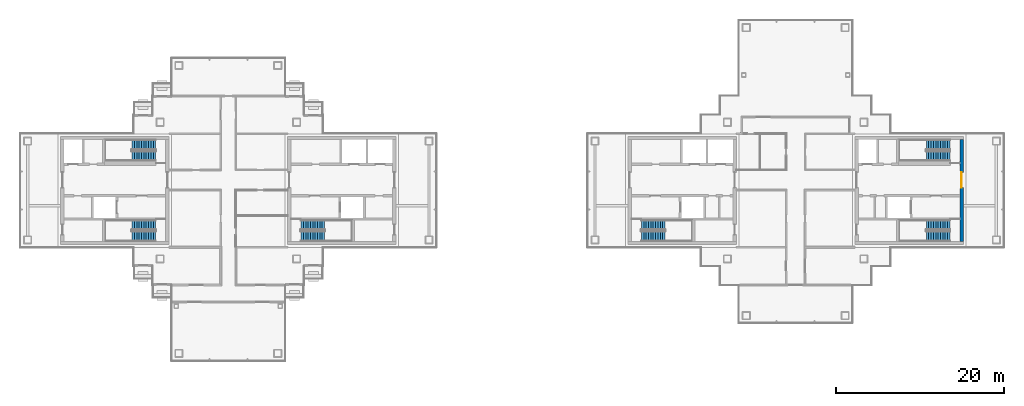
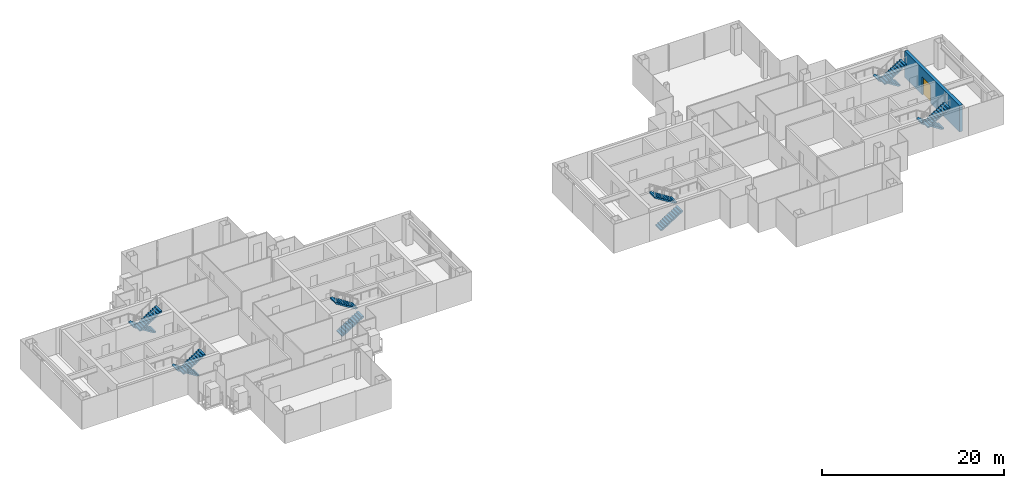
# One storey, part 13 of 16: 12 stair flights, 1 door, 1 wall, 1 opening, 6 elements without a shape of their own.
"""IFC4 building model written with IfcOpenShell, lengths in metres."""

from ifc_helpers import new_model, si_unit, direction, frame, frame_2d, origin, place, context, subcontext, project, spatial, polyline, rectangle, outline, extrude, material, layer, layer_set, type_object, element, fill, aggregate, save


model = new_model("IFC4")

# Units and contexts
model_context = context("Model", 3, precision=1e-05, world=origin(), true_north=direction((0.0, 1.0)))
body_context = subcontext(model_context, "Body", "Model", "MODEL_VIEW")
ifc_project = project(units=[si_unit("LENGTHUNIT", "METRE"), si_unit("AREAUNIT", "SQUARE_METRE"), si_unit("VOLUMEUNIT", "CUBIC_METRE"), si_unit("PLANEANGLEUNIT", "RADIAN"), si_unit("MASSUNIT", "GRAM", prefix="KILO")], contexts=[model_context])

# Site, building, storey
site_placement = place(None, origin())
site = spatial("IfcSite", under=ifc_project, at=site_placement, CompositionType="ELEMENT")
building_placement = place(site_placement, origin())
building = spatial("IfcBuilding", under=site, at=building_placement, Name="Shamsa Quay Exchange Towers", CompositionType="ELEMENT")
storey_placement = place(building_placement, frame((0.0, 0.0, 261.60009765625)))
storey = spatial("IfcBuildingStorey", under=building, at=storey_placement, Name="L63", CompositionType="ELEMENT", Elevation=261.60009765625)

# Wall, opening, door
ifc_material_1 = material(Name="Concrete C60/75", Category="concrete")
ifc_layer = layer(ifc_material_1, 0.39990234375)
ifc_layer_set = layer_set([ifc_layer], Name="CORE WALL 400 C60/75")
wall_type = type_object("IfcWallType", Name="CORE WALL 400 C60/75", PredefinedType="SHEAR", material=ifc_layer_set)
wall_placement = place(storey_placement, frame((53.5, -6.050048828125, 0.0), z_axis=(0.0, 0.0, 1.0), x_axis=(0.0, 1.0, 0.0)))
wall = element("IfcWall", 1, at=wall_placement, inside=storey, type_object=wall_type, Name="Core wall T2B-R29-PF", PredefinedType="SHEAR", context=body_context, shape_type="SweptSolid", body=[
    extrude(rectangle(XDim=12.10009765625, YDim=0.39990234375, at=frame_2d((6.050048828125, 0.0))), origin(), (0.0, 0.0, 1.0), 3.5498046875),
])
opening_placement = place(wall_placement, frame((6.39990234375, 0.0, 0.0)))
opening = element("IfcOpeningElement", 2, at=opening_placement, cuts=wall, Name="Opening T2B-R29-LBD01", PredefinedType="OPENING", context=body_context, shape_type="SweptSolid", body=[
    extrude(rectangle(XDim=1.800048828125, YDim=2.39990234375, at=frame_2d((0.89990234375, 1.199951171875))), frame((0.0, 0.2099609375, 0.0), z_axis=(0.0, -1.0, 0.0), x_axis=(1.0, 0.0, 0.0)), (0.0, 0.0, 1.0), 0.419921875),
])
ifc_material_2 = material(Name="Steel, fire rated", Category="steel")
door_type = type_object("IfcDoorType", Name="LIFT LOBBY DOOR PAIR 1800", OperationType="DOUBLE_DOOR_SINGLE_SWING", PredefinedType="DOOR", material=ifc_material_2)
door_placement = place(opening_placement, origin())
door = element("IfcDoor", 3, at=door_placement, inside=storey, type_object=door_type, Name="T2B-R29-LBD01", OperationType="DOUBLE_DOOR_SINGLE_SWING", OverallHeight=2.39990234375, OverallWidth=1.800048828125, PredefinedType="DOOR", context=body_context, shape_type="SweptSolid", body=[
    extrude(rectangle(XDim=1.800048828125, YDim=2.39990234375, at=frame_2d((0.89990234375, 1.199951171875))), frame((0.0, 0.02490234375, 0.0), z_axis=(0.0, -1.0, 0.0), x_axis=(1.0, 0.0, 0.0)), (0.0, 0.0, 1.0), 0.050048828125),
])
fill(opening, door)

# Stair, stair flights
ifc_material_3 = material(Name="Concrete C40/50", Category="concrete")
stair_type = type_object("IfcStairType", Name="EXIT STAIR 22 RISERS 177 MM", PredefinedType="HALF_TURN_STAIR", material=ifc_material_3)
stair_1_placement = place(storey_placement, origin())
stair_1 = element("IfcStair", 4, at=stair_1_placement, inside=storey, type_object=stair_type, Name="L63 Exit stair ST1", PredefinedType="HALF_TURN_STAIR")
stair_flight_type = type_object("IfcStairFlightType", Name="EXIT STAIR FLIGHT 11 RISERS 177 MM", PredefinedType="STRAIGHT", material=ifc_material_3)
stair_flight_1_placement = place(storey_placement, frame((-25.10009765625, -5.449951171875, 0.0)))
stair_flight_1 = element("IfcStairFlight", 5, at=stair_flight_1_placement, type_object=stair_flight_type, Name="ST1 flight 1", NumberOfRisers=11, NumberOfTreads=10, PredefinedType="STRAIGHT", RiserHeight=0.177272727, TreadLength=0.28, context=body_context, shape_type="SweptSolid", body=[
    extrude(outline(polyline([(0.0, 0.0), (0.0, 0.17724609375), (0.280029296875, 0.17724609375), (0.280029296875, 0.3544921875), (0.56005859375, 0.3544921875), (0.56005859375, 0.53173828125), (0.840087890625, 0.53173828125), (0.840087890625, 0.708984375), (1.1201171875, 0.708984375), (1.1201171875, 0.886474609375), (1.39990234375, 0.886474609375), (1.39990234375, 1.063720703125), (1.679931640625, 1.063720703125), (1.679931640625, 1.240966796875), (1.9599609375, 1.240966796875), (1.9599609375, 1.418212890625), (2.239990234375, 1.418212890625), (2.239990234375, 1.595458984375), (2.52001953125, 1.595458984375), (2.52001953125, 1.772705078125), (2.800048828125, 1.772705078125), (2.800048828125, 1.949951171875), (2.800048828125, 1.607177734375), (0.261474609375, 0.0), (0.0, 0.0)])), frame((0.0, 0.60009765625, 0.0), z_axis=(0.0, -1.0, 0.0), x_axis=(1.0, 0.0, 0.0)), (0.0, 0.0, 1.0), 1.199951171875),
])
stair_flight_2_placement = place(storey_placement, frame((-22.300048828125, -4.10009765625, 1.949951171875), z_axis=(0.0, 0.0, 1.0), x_axis=(-1.0, 0.0, 0.0)))
stair_flight_2 = element("IfcStairFlight", 6, at=stair_flight_2_placement, type_object=stair_flight_type, Name="ST1 flight 2", NumberOfRisers=11, NumberOfTreads=10, PredefinedType="STRAIGHT", RiserHeight=0.177272727, TreadLength=0.28, context=body_context, shape_type="SweptSolid", body=[
    extrude(outline(polyline([(0.0, 0.0), (0.0, 0.17724609375), (0.280029296875, 0.17724609375), (0.280029296875, 0.3544921875), (0.56005859375, 0.3544921875), (0.56005859375, 0.53173828125), (0.840087890625, 0.53173828125), (0.840087890625, 0.708984375), (1.1201171875, 0.708984375), (1.1201171875, 0.886474609375), (1.39990234375, 0.886474609375), (1.39990234375, 1.063720703125), (1.679931640625, 1.063720703125), (1.679931640625, 1.240966796875), (1.9599609375, 1.240966796875), (1.9599609375, 1.418212890625), (2.239990234375, 1.418212890625), (2.239990234375, 1.595458984375), (2.52001953125, 1.595458984375), (2.52001953125, 1.772705078125), (2.800048828125, 1.772705078125), (2.800048828125, 1.949951171875), (2.800048828125, 1.607177734375), (0.261474609375, 0.0), (0.0, 0.0)])), frame((0.0, 0.60009765625, 0.0), z_axis=(0.0, -1.0, 0.0), x_axis=(1.0, 0.0, 0.0)), (0.0, 0.0, 1.0), 1.199951171875),
])
aggregate(stair_1, [stair_flight_1, stair_flight_2])

stair_2_placement = place(storey_placement, origin())
stair_2 = element("IfcStair", 7, at=stair_2_placement, inside=storey, type_object=stair_type, Name="L63 Exit stair ST2", PredefinedType="HALF_TURN_STAIR")
stair_flight_3_placement = place(storey_placement, frame((-42.39990234375, -4.10009765625, 0.0), z_axis=(0.0, 0.0, 1.0), x_axis=(-1.0, 0.0, 0.0)))
stair_flight_3 = element("IfcStairFlight", 8, at=stair_flight_3_placement, type_object=stair_flight_type, Name="ST2 flight 1", NumberOfRisers=11, NumberOfTreads=10, PredefinedType="STRAIGHT", RiserHeight=0.177272727, TreadLength=0.28, context=body_context, shape_type="SweptSolid", body=[
    extrude(outline(polyline([(0.0, 0.0), (0.0, 0.17724609375), (0.280029296875, 0.17724609375), (0.280029296875, 0.3544921875), (0.56005859375, 0.3544921875), (0.56005859375, 0.53173828125), (0.840087890625, 0.53173828125), (0.840087890625, 0.708984375), (1.1201171875, 0.708984375), (1.1201171875, 0.886474609375), (1.39990234375, 0.886474609375), (1.39990234375, 1.063720703125), (1.679931640625, 1.063720703125), (1.679931640625, 1.240966796875), (1.9599609375, 1.240966796875), (1.9599609375, 1.418212890625), (2.239990234375, 1.418212890625), (2.239990234375, 1.595458984375), (2.52001953125, 1.595458984375), (2.52001953125, 1.772705078125), (2.800048828125, 1.772705078125), (2.800048828125, 1.949951171875), (2.800048828125, 1.607177734375), (0.261474609375, 0.0), (0.0, 0.0)])), frame((0.0, 0.60009765625, 0.0), z_axis=(0.0, -1.0, 0.0), x_axis=(1.0, 0.0, 0.0)), (0.0, 0.0, 1.0), 1.199951171875),
])
stair_flight_4_placement = place(storey_placement, frame((-45.199951171875, -5.449951171875, 1.949951171875)))
stair_flight_4 = element("IfcStairFlight", 9, at=stair_flight_4_placement, type_object=stair_flight_type, Name="ST2 flight 2", NumberOfRisers=11, NumberOfTreads=10, PredefinedType="STRAIGHT", RiserHeight=0.177272727, TreadLength=0.28, context=body_context, shape_type="SweptSolid", body=[
    extrude(outline(polyline([(0.0, 0.0), (0.0, 0.17724609375), (0.280029296875, 0.17724609375), (0.280029296875, 0.3544921875), (0.56005859375, 0.3544921875), (0.56005859375, 0.53173828125), (0.840087890625, 0.53173828125), (0.840087890625, 0.708984375), (1.1201171875, 0.708984375), (1.1201171875, 0.886474609375), (1.39990234375, 0.886474609375), (1.39990234375, 1.063720703125), (1.679931640625, 1.063720703125), (1.679931640625, 1.240966796875), (1.9599609375, 1.240966796875), (1.9599609375, 1.418212890625), (2.239990234375, 1.418212890625), (2.239990234375, 1.595458984375), (2.52001953125, 1.595458984375), (2.52001953125, 1.772705078125), (2.800048828125, 1.772705078125), (2.800048828125, 1.949951171875), (2.800048828125, 1.607177734375), (0.261474609375, 0.0), (0.0, 0.0)])), frame((0.0, 0.60009765625, 0.0), z_axis=(0.0, -1.0, 0.0), x_axis=(1.0, 0.0, 0.0)), (0.0, 0.0, 1.0), 1.199951171875),
])
aggregate(stair_2, [stair_flight_3, stair_flight_4])

stair_3_placement = place(storey_placement, origin())
stair_3 = element("IfcStair", 10, at=stair_3_placement, inside=storey, type_object=stair_type, Name="L63 Exit stair ST3", PredefinedType="HALF_TURN_STAIR")
stair_flight_5_placement = place(storey_placement, frame((-42.39990234375, 5.449951171875, 0.0), z_axis=(0.0, 0.0, 1.0), x_axis=(-1.0, 0.0, 0.0)))
stair_flight_5 = element("IfcStairFlight", 11, at=stair_flight_5_placement, type_object=stair_flight_type, Name="ST3 flight 1", NumberOfRisers=11, NumberOfTreads=10, PredefinedType="STRAIGHT", RiserHeight=0.177272727, TreadLength=0.28, context=body_context, shape_type="SweptSolid", body=[
    extrude(outline(polyline([(0.0, 0.0), (0.0, 0.17724609375), (0.280029296875, 0.17724609375), (0.280029296875, 0.3544921875), (0.56005859375, 0.3544921875), (0.56005859375, 0.53173828125), (0.840087890625, 0.53173828125), (0.840087890625, 0.708984375), (1.1201171875, 0.708984375), (1.1201171875, 0.886474609375), (1.39990234375, 0.886474609375), (1.39990234375, 1.063720703125), (1.679931640625, 1.063720703125), (1.679931640625, 1.240966796875), (1.9599609375, 1.240966796875), (1.9599609375, 1.418212890625), (2.239990234375, 1.418212890625), (2.239990234375, 1.595458984375), (2.52001953125, 1.595458984375), (2.52001953125, 1.772705078125), (2.800048828125, 1.772705078125), (2.800048828125, 1.949951171875), (2.800048828125, 1.607177734375), (0.261474609375, 0.0), (0.0, 0.0)])), frame((0.0, 0.60009765625, 0.0), z_axis=(0.0, -1.0, 0.0), x_axis=(1.0, 0.0, 0.0)), (0.0, 0.0, 1.0), 1.199951171875),
])
stair_flight_6_placement = place(storey_placement, frame((-45.199951171875, 4.10009765625, 1.949951171875)))
stair_flight_6 = element("IfcStairFlight", 12, at=stair_flight_6_placement, type_object=stair_flight_type, Name="ST3 flight 2", NumberOfRisers=11, NumberOfTreads=10, PredefinedType="STRAIGHT", RiserHeight=0.177272727, TreadLength=0.28, context=body_context, shape_type="SweptSolid", body=[
    extrude(outline(polyline([(0.0, 0.0), (0.0, 0.17724609375), (0.280029296875, 0.17724609375), (0.280029296875, 0.3544921875), (0.56005859375, 0.3544921875), (0.56005859375, 0.53173828125), (0.840087890625, 0.53173828125), (0.840087890625, 0.708984375), (1.1201171875, 0.708984375), (1.1201171875, 0.886474609375), (1.39990234375, 0.886474609375), (1.39990234375, 1.063720703125), (1.679931640625, 1.063720703125), (1.679931640625, 1.240966796875), (1.9599609375, 1.240966796875), (1.9599609375, 1.418212890625), (2.239990234375, 1.418212890625), (2.239990234375, 1.595458984375), (2.52001953125, 1.595458984375), (2.52001953125, 1.772705078125), (2.800048828125, 1.772705078125), (2.800048828125, 1.949951171875), (2.800048828125, 1.607177734375), (0.261474609375, 0.0), (0.0, 0.0)])), frame((0.0, 0.60009765625, 0.0), z_axis=(0.0, -1.0, 0.0), x_axis=(1.0, 0.0, 0.0)), (0.0, 0.0, 1.0), 1.199951171875),
])
aggregate(stair_3, [stair_flight_5, stair_flight_6])

stair_4_placement = place(storey_placement, origin())
stair_4 = element("IfcStair", 13, at=stair_4_placement, inside=storey, type_object=stair_type, Name="L63 Exit stair ST4", PredefinedType="HALF_TURN_STAIR")
stair_flight_7_placement = place(storey_placement, frame((15.39990234375, -5.449951171875, 0.0)))
stair_flight_7 = element("IfcStairFlight", 14, at=stair_flight_7_placement, type_object=stair_flight_type, Name="ST4 flight 1", NumberOfRisers=11, NumberOfTreads=10, PredefinedType="STRAIGHT", RiserHeight=0.177272727, TreadLength=0.28, context=body_context, shape_type="SweptSolid", body=[
    extrude(outline(polyline([(0.0, 0.0), (0.0, 0.17724609375), (0.280029296875, 0.17724609375), (0.280029296875, 0.3544921875), (0.56005859375, 0.3544921875), (0.56005859375, 0.53173828125), (0.840087890625, 0.53173828125), (0.840087890625, 0.708984375), (1.1201171875, 0.708984375), (1.1201171875, 0.886474609375), (1.39990234375, 0.886474609375), (1.39990234375, 1.063720703125), (1.679931640625, 1.063720703125), (1.679931640625, 1.240966796875), (1.9599609375, 1.240966796875), (1.9599609375, 1.418212890625), (2.239990234375, 1.418212890625), (2.239990234375, 1.595458984375), (2.52001953125, 1.595458984375), (2.52001953125, 1.772705078125), (2.800048828125, 1.772705078125), (2.800048828125, 1.949951171875), (2.800048828125, 1.607177734375), (0.261474609375, 0.0), (0.0, 0.0)])), frame((0.0, 0.60009765625, 0.0), z_axis=(0.0, -1.0, 0.0), x_axis=(1.0, 0.0, 0.0)), (0.0, 0.0, 1.0), 1.199951171875),
])
stair_flight_8_placement = place(storey_placement, frame((18.199951171875, -4.10009765625, 1.949951171875), z_axis=(0.0, 0.0, 1.0), x_axis=(-1.0, 0.0, 0.0)))
stair_flight_8 = element("IfcStairFlight", 15, at=stair_flight_8_placement, type_object=stair_flight_type, Name="ST4 flight 2", NumberOfRisers=11, NumberOfTreads=10, PredefinedType="STRAIGHT", RiserHeight=0.177272727, TreadLength=0.28, context=body_context, shape_type="SweptSolid", body=[
    extrude(outline(polyline([(0.0, 0.0), (0.0, 0.17724609375), (0.280029296875, 0.17724609375), (0.280029296875, 0.3544921875), (0.56005859375, 0.3544921875), (0.56005859375, 0.53173828125), (0.840087890625, 0.53173828125), (0.840087890625, 0.708984375), (1.1201171875, 0.708984375), (1.1201171875, 0.886474609375), (1.39990234375, 0.886474609375), (1.39990234375, 1.063720703125), (1.679931640625, 1.063720703125), (1.679931640625, 1.240966796875), (1.9599609375, 1.240966796875), (1.9599609375, 1.418212890625), (2.239990234375, 1.418212890625), (2.239990234375, 1.595458984375), (2.52001953125, 1.595458984375), (2.52001953125, 1.772705078125), (2.800048828125, 1.772705078125), (2.800048828125, 1.949951171875), (2.800048828125, 1.607177734375), (0.261474609375, 0.0), (0.0, 0.0)])), frame((0.0, 0.60009765625, 0.0), z_axis=(0.0, -1.0, 0.0), x_axis=(1.0, 0.0, 0.0)), (0.0, 0.0, 1.0), 1.199951171875),
])
aggregate(stair_4, [stair_flight_7, stair_flight_8])

stair_5_placement = place(storey_placement, origin())
stair_5 = element("IfcStair", 16, at=stair_5_placement, inside=storey, type_object=stair_type, Name="L63 Exit stair ST5", PredefinedType="HALF_TURN_STAIR")
stair_flight_9_placement = place(storey_placement, frame((52.10009765625, -4.10009765625, 0.0), z_axis=(0.0, 0.0, 1.0), x_axis=(-1.0, 0.0, 0.0)))
stair_flight_9 = element("IfcStairFlight", 17, at=stair_flight_9_placement, type_object=stair_flight_type, Name="ST5 flight 1", NumberOfRisers=11, NumberOfTreads=10, PredefinedType="STRAIGHT", RiserHeight=0.177272727, TreadLength=0.28, context=body_context, shape_type="SweptSolid", body=[
    extrude(outline(polyline([(0.0, 0.0), (0.0, 0.17724609375), (0.280029296875, 0.17724609375), (0.280029296875, 0.3544921875), (0.56005859375, 0.3544921875), (0.56005859375, 0.53173828125), (0.840087890625, 0.53173828125), (0.840087890625, 0.708984375), (1.1201171875, 0.708984375), (1.1201171875, 0.886474609375), (1.39990234375, 0.886474609375), (1.39990234375, 1.063720703125), (1.679931640625, 1.063720703125), (1.679931640625, 1.240966796875), (1.9599609375, 1.240966796875), (1.9599609375, 1.418212890625), (2.239990234375, 1.418212890625), (2.239990234375, 1.595458984375), (2.52001953125, 1.595458984375), (2.52001953125, 1.772705078125), (2.800048828125, 1.772705078125), (2.800048828125, 1.949951171875), (2.800048828125, 1.607177734375), (0.261474609375, 0.0), (0.0, 0.0)])), frame((0.0, 0.60009765625, 0.0), z_axis=(0.0, -1.0, 0.0), x_axis=(1.0, 0.0, 0.0)), (0.0, 0.0, 1.0), 1.199951171875),
])
stair_flight_10_placement = place(storey_placement, frame((49.300048828125, -5.449951171875, 1.949951171875)))
stair_flight_10 = element("IfcStairFlight", 18, at=stair_flight_10_placement, type_object=stair_flight_type, Name="ST5 flight 2", NumberOfRisers=11, NumberOfTreads=10, PredefinedType="STRAIGHT", RiserHeight=0.177272727, TreadLength=0.28, context=body_context, shape_type="SweptSolid", body=[
    extrude(outline(polyline([(0.0, 0.0), (0.0, 0.17724609375), (0.280029296875, 0.17724609375), (0.280029296875, 0.3544921875), (0.56005859375, 0.3544921875), (0.56005859375, 0.53173828125), (0.840087890625, 0.53173828125), (0.840087890625, 0.708984375), (1.1201171875, 0.708984375), (1.1201171875, 0.886474609375), (1.39990234375, 0.886474609375), (1.39990234375, 1.063720703125), (1.679931640625, 1.063720703125), (1.679931640625, 1.240966796875), (1.9599609375, 1.240966796875), (1.9599609375, 1.418212890625), (2.239990234375, 1.418212890625), (2.239990234375, 1.595458984375), (2.52001953125, 1.595458984375), (2.52001953125, 1.772705078125), (2.800048828125, 1.772705078125), (2.800048828125, 1.949951171875), (2.800048828125, 1.607177734375), (0.261474609375, 0.0), (0.0, 0.0)])), frame((0.0, 0.60009765625, 0.0), z_axis=(0.0, -1.0, 0.0), x_axis=(1.0, 0.0, 0.0)), (0.0, 0.0, 1.0), 1.199951171875),
])
aggregate(stair_5, [stair_flight_9, stair_flight_10])

stair_6_placement = place(storey_placement, origin())
stair_6 = element("IfcStair", 19, at=stair_6_placement, inside=storey, type_object=stair_type, Name="L63 Exit stair ST6", PredefinedType="HALF_TURN_STAIR")
stair_flight_11_placement = place(storey_placement, frame((52.10009765625, 5.449951171875, 0.0), z_axis=(0.0, 0.0, 1.0), x_axis=(-1.0, 0.0, 0.0)))
stair_flight_11 = element("IfcStairFlight", 20, at=stair_flight_11_placement, type_object=stair_flight_type, Name="ST6 flight 1", NumberOfRisers=11, NumberOfTreads=10, PredefinedType="STRAIGHT", RiserHeight=0.177272727, TreadLength=0.28, context=body_context, shape_type="SweptSolid", body=[
    extrude(outline(polyline([(0.0, 0.0), (0.0, 0.17724609375), (0.280029296875, 0.17724609375), (0.280029296875, 0.3544921875), (0.56005859375, 0.3544921875), (0.56005859375, 0.53173828125), (0.840087890625, 0.53173828125), (0.840087890625, 0.708984375), (1.1201171875, 0.708984375), (1.1201171875, 0.886474609375), (1.39990234375, 0.886474609375), (1.39990234375, 1.063720703125), (1.679931640625, 1.063720703125), (1.679931640625, 1.240966796875), (1.9599609375, 1.240966796875), (1.9599609375, 1.418212890625), (2.239990234375, 1.418212890625), (2.239990234375, 1.595458984375), (2.52001953125, 1.595458984375), (2.52001953125, 1.772705078125), (2.800048828125, 1.772705078125), (2.800048828125, 1.949951171875), (2.800048828125, 1.607177734375), (0.261474609375, 0.0), (0.0, 0.0)])), frame((0.0, 0.60009765625, 0.0), z_axis=(0.0, -1.0, 0.0), x_axis=(1.0, 0.0, 0.0)), (0.0, 0.0, 1.0), 1.199951171875),
])
stair_flight_12_placement = place(storey_placement, frame((49.300048828125, 4.10009765625, 1.949951171875)))
stair_flight_12 = element("IfcStairFlight", 21, at=stair_flight_12_placement, type_object=stair_flight_type, Name="ST6 flight 2", NumberOfRisers=11, NumberOfTreads=10, PredefinedType="STRAIGHT", RiserHeight=0.177272727, TreadLength=0.28, context=body_context, shape_type="SweptSolid", body=[
    extrude(outline(polyline([(0.0, 0.0), (0.0, 0.17724609375), (0.280029296875, 0.17724609375), (0.280029296875, 0.3544921875), (0.56005859375, 0.3544921875), (0.56005859375, 0.53173828125), (0.840087890625, 0.53173828125), (0.840087890625, 0.708984375), (1.1201171875, 0.708984375), (1.1201171875, 0.886474609375), (1.39990234375, 0.886474609375), (1.39990234375, 1.063720703125), (1.679931640625, 1.063720703125), (1.679931640625, 1.240966796875), (1.9599609375, 1.240966796875), (1.9599609375, 1.418212890625), (2.239990234375, 1.418212890625), (2.239990234375, 1.595458984375), (2.52001953125, 1.595458984375), (2.52001953125, 1.772705078125), (2.800048828125, 1.772705078125), (2.800048828125, 1.949951171875), (2.800048828125, 1.607177734375), (0.261474609375, 0.0), (0.0, 0.0)])), frame((0.0, 0.60009765625, 0.0), z_axis=(0.0, -1.0, 0.0), x_axis=(1.0, 0.0, 0.0)), (0.0, 0.0, 1.0), 1.199951171875),
])
aggregate(stair_6, [stair_flight_11, stair_flight_12])

save(model, "model.ifc")
